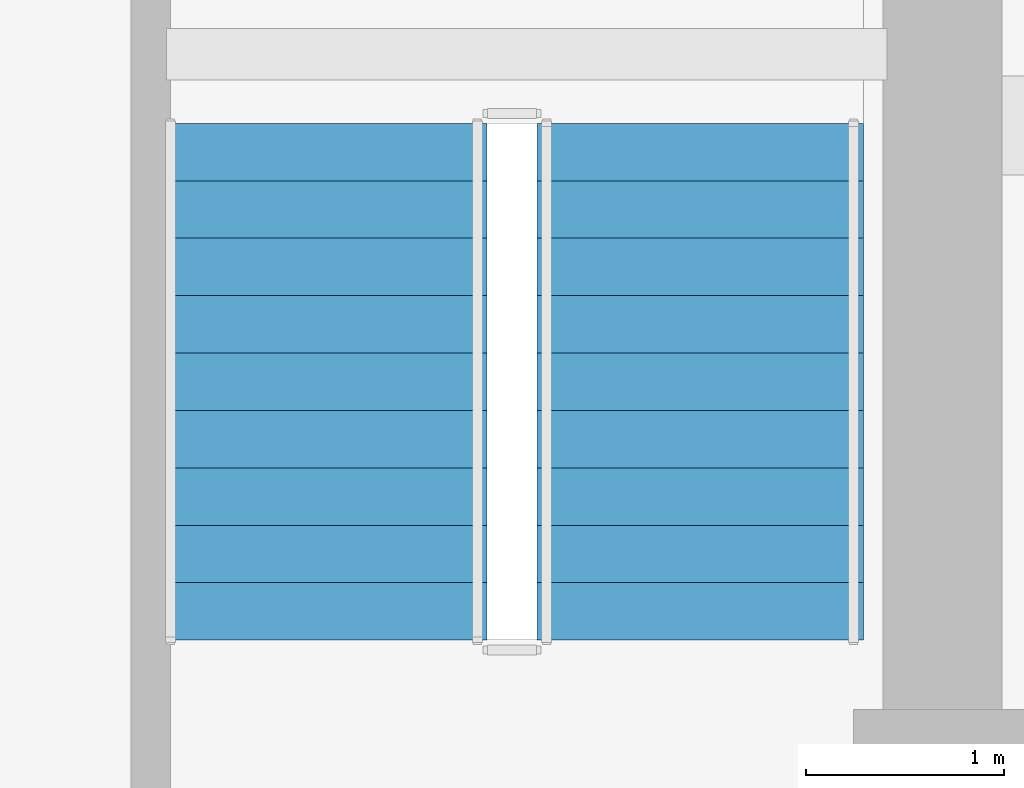
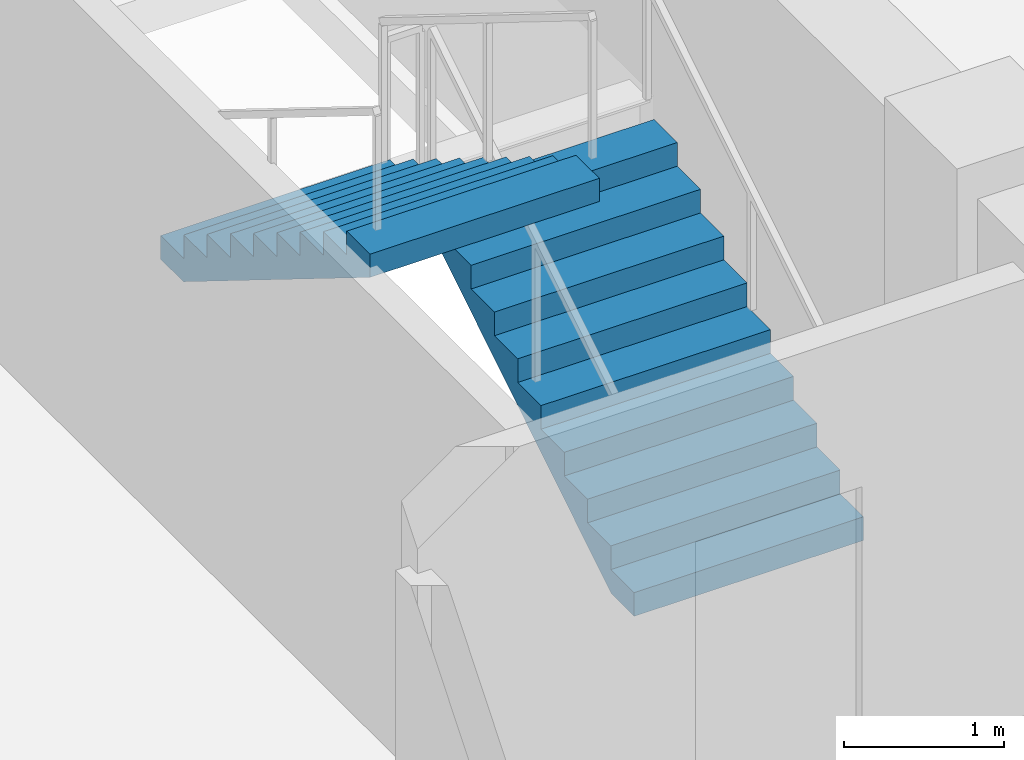
# One storey, part 11 of 13: 2 stair flights, 1 element without a shape of its own.
"""IFC4 building model written with IfcOpenShell, lengths in metres."""

from ifc_helpers import new_model, si_unit, derived_unit, direction, frame, origin, place, context, subcontext, project, spatial, polyline, outline, extrude, material, type_object, element, aggregate, save


model = new_model("IFC4")

# Units and contexts
model_context = context("Model", 3, precision=1e-05, world=origin(), true_north=direction((0.0, 1.0)))
body_context = subcontext(model_context, "Body", "Model", "MODEL_VIEW")
ifc_project = project(units=[si_unit("LENGTHUNIT", "METRE"), si_unit("AREAUNIT", "SQUARE_METRE"), si_unit("VOLUMEUNIT", "CUBIC_METRE"), si_unit("PLANEANGLEUNIT", "RADIAN"), si_unit("MASSUNIT", "GRAM", prefix="KILO"), derived_unit("THERMALTRANSMITTANCEUNIT", [(si_unit("POWERUNIT", "WATT"), 1), (si_unit("LENGTHUNIT", "METRE"), -2), (si_unit("THERMODYNAMICTEMPERATUREUNIT", "KELVIN"), -1)])], contexts=[model_context])

# Site, building, storey
site_placement = place(None, origin())
site = spatial("IfcSite", under=ifc_project, at=site_placement, CompositionType="ELEMENT")
building_placement = place(site_placement, origin())
building = spatial("IfcBuilding", under=site, at=building_placement, Name="Koralith Skygarden Medical Center", CompositionType="ELEMENT")
storey_placement = place(building_placement, frame((0.0, 0.0, 250.02001953125)))
storey = spatial("IfcBuildingStorey", under=building, at=storey_placement, Name="L64", CompositionType="ELEMENT", Elevation=250.02001953125)

# Stair, stair flights
ifc_material = material(Name="Concrete C45/55", Category="concrete")
stair_type = type_object("IfcStairType", Name="Core Exit Dogleg Concrete Stair", PredefinedType="HALF_TURN_STAIR", material=ifc_material)
stair_placement = place(storey_placement, origin())
stair = element("IfcStair", 1, at=stair_placement, inside=storey, type_object=stair_type, Name="L64 Smokeproof Exit Stair ST2", PredefinedType="HALF_TURN_STAIR")
stair_flight_type = type_object("IfcStairFlightType", Name="Core Exit Concrete Stair Flight 1650", PredefinedType="STRAIGHT", material=ifc_material)
stair_flight_1_placement = place(storey_placement, frame((46.97509765625, 26.699951171875, 0.0), z_axis=(0.0, 0.0, 1.0), x_axis=(0.0, 1.0, 0.0)))
stair_flight_1 = element("IfcStairFlight", 2, at=stair_flight_1_placement, type_object=stair_flight_type, Name="ST2 flight 1", NumberOfRisers=10, NumberOfTreads=9, PredefinedType="STRAIGHT", RiserHeight=0.18, TreadLength=0.29, context=body_context, shape_type="SweptSolid", body=[
    extrude(outline(polyline([(0.0, 0.0), (0.0, 0.179931640625), (0.2900390625, 0.179931640625), (0.2900390625, 0.360107421875), (0.580078125, 0.360107421875), (0.580078125, 0.5400390625), (0.8701171875, 0.5400390625), (0.8701171875, 0.719970703125), (1.159912109375, 0.719970703125), (1.159912109375, 0.89990234375), (1.449951171875, 0.89990234375), (1.449951171875, 1.080078125), (1.739990234375, 1.080078125), (1.739990234375, 1.260009765625), (2.030029296875, 1.260009765625), (2.030029296875, 1.43994140625), (2.320068359375, 1.43994140625), (2.320068359375, 1.6201171875), (2.610107421875, 1.6201171875), (2.610107421875, 1.800048828125), (2.610107421875, 1.443603515625), (0.2841796875, 0.0), (0.0, 0.0)])), frame((0.0, 0.824951171875, 0.0), z_axis=(0.0, -1.0, 0.0), x_axis=(1.0, 0.0, 0.0)), (0.0, 0.0, 1.0), 1.64990234375),
])
stair_flight_2_placement = place(storey_placement, frame((45.074951171875, 29.31005859375, 1.800048828125), z_axis=(0.0, 0.0, 1.0), x_axis=(0.0, -1.0, 0.0)))
stair_flight_2 = element("IfcStairFlight", 3, at=stair_flight_2_placement, type_object=stair_flight_type, Name="ST2 flight 2", NumberOfRisers=10, NumberOfTreads=9, PredefinedType="STRAIGHT", RiserHeight=0.18, TreadLength=0.29, context=body_context, shape_type="SweptSolid", body=[
    extrude(outline(polyline([(0.0, 0.0), (0.0, 0.179931640625), (0.2900390625, 0.179931640625), (0.2900390625, 0.360107421875), (0.580078125, 0.360107421875), (0.580078125, 0.5400390625), (0.8701171875, 0.5400390625), (0.8701171875, 0.719970703125), (1.159912109375, 0.719970703125), (1.159912109375, 0.89990234375), (1.449951171875, 0.89990234375), (1.449951171875, 1.080078125), (1.739990234375, 1.080078125), (1.739990234375, 1.260009765625), (2.030029296875, 1.260009765625), (2.030029296875, 1.43994140625), (2.320068359375, 1.43994140625), (2.320068359375, 1.6201171875), (2.610107421875, 1.6201171875), (2.610107421875, 1.800048828125), (2.610107421875, 1.443603515625), (0.2841796875, 0.0), (0.0, 0.0)])), frame((0.0, 0.824951171875, 0.0), z_axis=(0.0, -1.0, 0.0), x_axis=(1.0, 0.0, 0.0)), (0.0, 0.0, 1.0), 1.64990234375),
])
aggregate(stair, [stair_flight_1, stair_flight_2])

save(model, "model.ifc")
